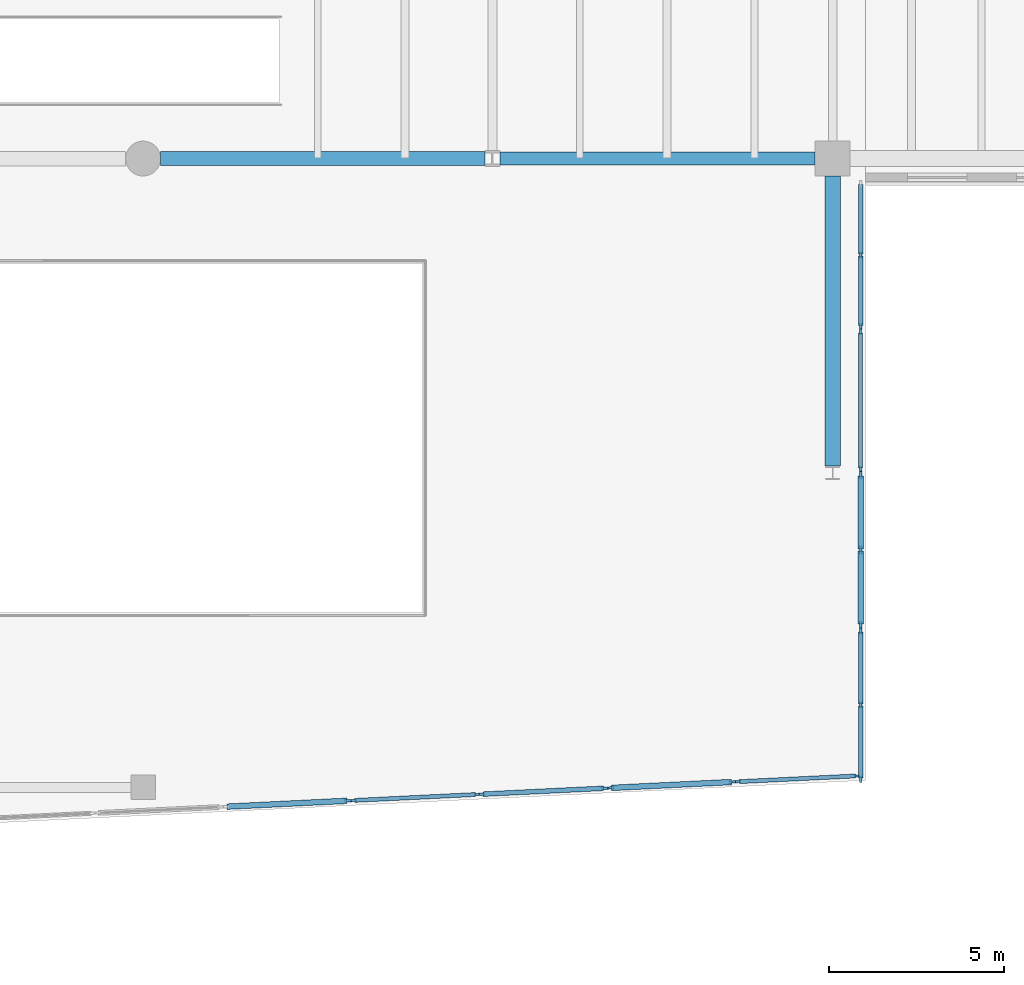
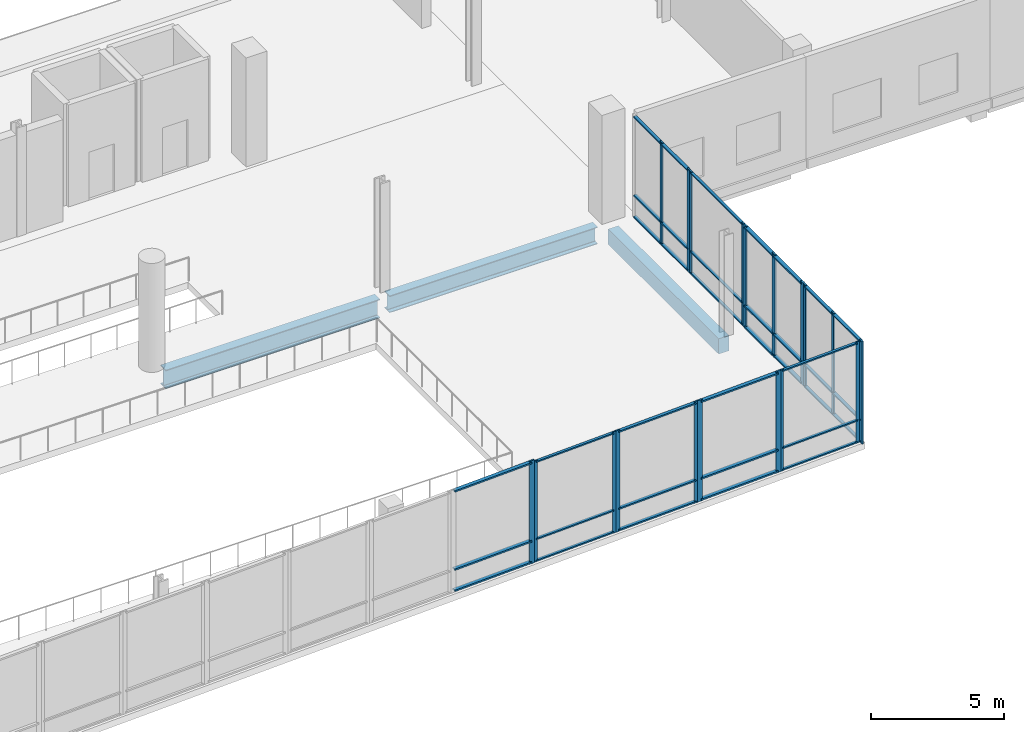
# One storey, part 24 of 73: 55 members, 3 beams, 9 elements without a shape of their own.
"""IFC4 building model written with IfcOpenShell, lengths in metres."""

from ifc_helpers import new_model, si_unit, direction, frame, origin, origin_2d, place, context, subcontext, project, spatial, rectangle, i_section, extrude, material, material_profile, profile_set, type_object, element, aggregate, save


model = new_model("IFC4")

# Units and contexts
model_context = context("Model", 3, precision=1e-05, world=origin(), true_north=direction((0.0, 1.0)))
body_context = subcontext(model_context, "Body", "Model", "MODEL_VIEW")
ifc_project = project(units=[si_unit("LENGTHUNIT", "METRE"), si_unit("AREAUNIT", "SQUARE_METRE"), si_unit("VOLUMEUNIT", "CUBIC_METRE"), si_unit("PLANEANGLEUNIT", "RADIAN"), si_unit("MASSUNIT", "GRAM", prefix="KILO")], contexts=[model_context])

# Site, building, storey
site_placement = place(None, origin())
site = spatial("IfcSite", under=ifc_project, at=site_placement, CompositionType="ELEMENT")
building_placement = place(site_placement, origin())
building = spatial("IfcBuilding", under=site, at=building_placement, Name="Trimount Lyric Opera House", CompositionType="ELEMENT")
storey_placement = place(building_placement, frame((0.0, 0.0, 10.0)))
storey = spatial("IfcBuildingStorey", under=building, at=storey_placement, Name="L02", CompositionType="ELEMENT", Elevation=10.0)

# Beams
ifc_material_1 = material(Name="Steel ASTM A992 Grade 50", Category="steel")
ifc_material_profile_1 = material_profile(ifc_material_1, i_section(OverallWidth=0.40087890625, OverallDepth=0.861083984375, WebThickness=0.019775390625, FlangeThickness=0.032470703125, FilletRadius=0.02001953125, at=origin_2d()), Name="W33X221")
ifc_profile_set_1 = profile_set([ifc_material_profile_1], Name="Steel ASTM A992 Grade 50")
beam_type_1 = type_object("IfcBeamType", Name="B-04", PredefinedType="BEAM", material=ifc_profile_set_1)
beam_1_placement = place(storey_placement, frame((94.5, 44.0, -0.73046875), z_axis=(1.0, 0.0, 0.0), x_axis=(0.0, 1.0, 0.0)))
element("IfcBeam", 1, at=beam_1_placement, inside=storey, type_object=beam_type_1, Name="L02 girder X-0727", PredefinedType="BEAM", context=body_context, shape_type="SweptSolid", body=[
    extrude(i_section(OverallWidth=0.40087890625, OverallDepth=0.861083984375, WebThickness=0.019775390625, FlangeThickness=0.032470703125, FilletRadius=0.02001953125, at=origin_2d()), origin(), (0.0, 0.0, 1.0), 9.2890625),
])
ifc_material_2 = material(Name="Steel ASTM A992 Grade 50", Category="steel")
ifc_material_profile_2 = material_profile(ifc_material_2, i_section(OverallWidth=0.382080078125, OverallDepth=0.779052734375, WebThickness=0.01806640625, FlangeThickness=0.0302734375, FilletRadius=0.01904296875, at=origin_2d()), Name="W30X191")
ifc_profile_set_2 = profile_set([ifc_material_profile_2], Name="Steel ASTM A992 Grade 50")
beam_type_2 = type_object("IfcBeamType", Name="B-06", PredefinedType="BEAM", material=ifc_profile_set_2)
beam_2_placement = place(storey_placement, frame((104.2109375, 44.0, -0.689453125), z_axis=(1.0, 0.0, 0.0), x_axis=(0.0, 1.0, 0.0)))
element("IfcBeam", 2, at=beam_2_placement, inside=storey, type_object=beam_type_2, Name="L02 girder X-0728", PredefinedType="BEAM", context=body_context, shape_type="SweptSolid", body=[
    extrude(i_section(OverallWidth=0.382080078125, OverallDepth=0.779052734375, WebThickness=0.01806640625, FlangeThickness=0.0302734375, FilletRadius=0.01904296875, at=origin_2d()), origin(), (0.0, 0.0, 1.0), 9.029052734375),
])

# Curtain wall, members
ifc_material_3 = material(Name="Thermally Broken Aluminium and Low-E Glass", Category="aluminium")
curtain_wall_type = type_object("IfcCurtainWallType", Name="CW-01", PredefinedType="NOTDEFINED", material=ifc_material_3)
curtain_wall_1_placement = place(storey_placement, origin())
curtain_wall_1 = element("IfcCurtainWall", 3, at=curtain_wall_1_placement, inside=storey, type_object=curtain_wall_type, Name="L02 curtain wall 171", PredefinedType="NOTDEFINED")
ifc_material_4 = material(Name="Anodised Aluminium 6063-T6", Category="aluminium")
ifc_material_profile_3 = material_profile(ifc_material_4, rectangle(XDim=0.070068359375, YDim=0.219970703125, at=origin_2d()), Name="ALU-MULL-70X220")
ifc_profile_set_3 = profile_set([ifc_material_profile_3], Name="Anodised Aluminium 6063-T6")
member_type_1 = type_object("IfcMemberType", Name="ML-01", PredefinedType="MULLION", material=ifc_profile_set_3)
member_1_placement = place(storey_placement, frame((114.5400390625, 34.955078125, 0.0), z_axis=(0.0, 0.0, 1.0), x_axis=(1.0, 0.0, 0.0)))
member_1 = element("IfcMember", 4, at=member_1_placement, type_object=member_type_1, Name="CW-01 mullion 1", PredefinedType="MULLION", context=body_context, shape_type="SweptSolid", body=[
    extrude(rectangle(XDim=0.070068359375, YDim=0.219970703125, at=origin_2d()), origin(), (0.0, 0.0, 1.0), 4.719970703125),
])
member_2_placement = place(storey_placement, frame((114.5400390625, 32.794921875, 0.0), z_axis=(0.0, 0.0, 1.0), x_axis=(1.0, 0.0, 0.0)))
member_2 = element("IfcMember", 5, at=member_2_placement, type_object=member_type_1, Name="CW-01 mullion 2", PredefinedType="MULLION", context=body_context, shape_type="SweptSolid", body=[
    extrude(rectangle(XDim=0.070068359375, YDim=0.219970703125, at=origin_2d()), origin(), (0.0, 0.0, 1.0), 4.719970703125),
])
member_3_placement = place(storey_placement, frame((114.5400390625, 30.635009765625, 0.0), z_axis=(0.0, 0.0, 1.0), x_axis=(1.0, 0.0, 0.0)))
member_3 = element("IfcMember", 6, at=member_3_placement, type_object=member_type_1, Name="CW-01 mullion 3", PredefinedType="MULLION", context=body_context, shape_type="SweptSolid", body=[
    extrude(rectangle(XDim=0.070068359375, YDim=0.219970703125, at=origin_2d()), origin(), (0.0, 0.0, 1.0), 4.719970703125),
])

curtain_wall_2_placement = place(storey_placement, origin())
curtain_wall_2 = element("IfcCurtainWall", 7, at=curtain_wall_2_placement, inside=storey, type_object=curtain_wall_type, Name="L02 curtain wall 174", PredefinedType="NOTDEFINED")
member_4_placement = place(storey_placement, frame((110.880126953125, 26.154296875, 0.0), z_axis=(0.0, 0.0, 1.0), x_axis=(0.04855957812, -0.998820287826, 0.0)))
member_4 = element("IfcMember", 8, at=member_4_placement, type_object=member_type_1, Name="CW-01 mullion 1", PredefinedType="MULLION", context=body_context, shape_type="SweptSolid", body=[
    extrude(rectangle(XDim=0.070068359375, YDim=0.219970703125, at=origin_2d()), origin(), (0.0, 0.0, 1.0), 4.64990234375),
])
member_5_placement = place(storey_placement, frame((107.370849609375, 25.983642578125, 0.0), z_axis=(0.0, 0.0, 1.0), x_axis=(0.04855957812, -0.998820287826, 0.0)))
member_5 = element("IfcMember", 9, at=member_5_placement, type_object=member_type_1, Name="CW-01 mullion 2", PredefinedType="MULLION", context=body_context, shape_type="SweptSolid", body=[
    extrude(rectangle(XDim=0.070068359375, YDim=0.219970703125, at=origin_2d()), origin(), (0.0, 0.0, 1.0), 4.64990234375),
])

# Curtain wall, member
curtain_wall_3_placement = place(storey_placement, origin())
curtain_wall_3 = element("IfcCurtainWall", 10, at=curtain_wall_3_placement, inside=storey, type_object=curtain_wall_type, Name="L02 curtain wall 177", PredefinedType="NOTDEFINED")
member_6_placement = place(storey_placement, frame((99.8740234375, 25.6171875, 0.0), z_axis=(0.0, 0.0, 1.0), x_axis=(0.04855957812, -0.998820287826, 0.0)))
member_6 = element("IfcMember", 11, at=member_6_placement, type_object=member_type_1, Name="CW-01 mullion 1", PredefinedType="MULLION", context=body_context, shape_type="SweptSolid", body=[
    extrude(rectangle(XDim=0.070068359375, YDim=0.219970703125, at=origin_2d()), origin(), (0.0, 0.0, 1.0), 4.719970703125),
])

# Curtain wall, members
curtain_wall_4_placement = place(storey_placement, origin())
curtain_wall_4 = element("IfcCurtainWall", 12, at=curtain_wall_4_placement, inside=storey, type_object=curtain_wall_type, Name="L02 curtain wall 169", PredefinedType="NOTDEFINED")
ifc_material_5 = material(Name="Anodised Aluminium 6063-T6", Category="aluminium")
ifc_material_profile_4 = material_profile(ifc_material_5, rectangle(XDim=0.06494140625, YDim=0.179931640625, at=origin_2d()), Name="ALU-MULL-65X180")
ifc_profile_set_4 = profile_set([ifc_material_profile_4], Name="Anodised Aluminium 6063-T6")
member_type_2 = type_object("IfcMemberType", Name="ML-02", PredefinedType="MULLION", material=ifc_profile_set_4)
member_7_placement = place(storey_placement, frame((114.5400390625, 41.239990234375, 0.0), z_axis=(0.0, 0.0, 1.0), x_axis=(1.0, 0.0, 0.0)))
member_7 = element("IfcMember", 13, at=member_7_placement, type_object=member_type_2, Name="CW-01 mullion 2", PredefinedType="MULLION", context=body_context, shape_type="SweptSolid", body=[
    extrude(rectangle(XDim=0.06494140625, YDim=0.179931640625, at=origin_2d()), origin(), (0.0, 0.0, 1.0), 4.719970703125),
])
member_8_placement = place(storey_placement, frame((114.5400390625, 39.1923828125, 0.0), z_axis=(0.0, 0.0, 1.0), x_axis=(1.0, 0.0, 0.0)))
member_8 = element("IfcMember", 14, at=member_8_placement, type_object=member_type_2, Name="CW-01 mullion 3", PredefinedType="MULLION", context=body_context, shape_type="SweptSolid", body=[
    extrude(rectangle(XDim=0.06494140625, YDim=0.179931640625, at=origin_2d()), origin(), (0.0, 0.0, 1.0), 4.719970703125),
])

curtain_wall_5_placement = place(storey_placement, origin())
curtain_wall_5 = element("IfcCurtainWall", 15, at=curtain_wall_5_placement, inside=storey, type_object=curtain_wall_type, Name="L02 curtain wall 172", PredefinedType="NOTDEFINED")
member_9_placement = place(storey_placement, frame((114.5400390625, 30.4775390625, 0.0), z_axis=(0.0, 0.0, 1.0), x_axis=(1.0, 0.0, 0.0)))
member_9 = element("IfcMember", 16, at=member_9_placement, type_object=member_type_2, Name="CW-01 mullion 1", PredefinedType="MULLION", context=body_context, shape_type="SweptSolid", body=[
    extrude(rectangle(XDim=0.06494140625, YDim=0.179931640625, at=origin_2d()), origin(), (0.0, 0.0, 1.0), 4.719970703125),
])
member_10_placement = place(storey_placement, frame((114.5400390625, 28.35498046875, 0.0), z_axis=(0.0, 0.0, 1.0), x_axis=(1.0, 0.0, 0.0)))
member_10 = element("IfcMember", 17, at=member_10_placement, type_object=member_type_2, Name="CW-01 mullion 2", PredefinedType="MULLION", context=body_context, shape_type="SweptSolid", body=[
    extrude(rectangle(XDim=0.06494140625, YDim=0.179931640625, at=origin_2d()), origin(), (0.0, 0.0, 1.0), 4.719970703125),
])
member_11_placement = place(storey_placement, frame((114.5400390625, 26.232421875, 0.0), z_axis=(0.0, 0.0, 1.0), x_axis=(1.0, 0.0, 0.0)))
member_11 = element("IfcMember", 18, at=member_11_placement, type_object=member_type_2, Name="CW-01 mullion 3", PredefinedType="MULLION", context=body_context, shape_type="SweptSolid", body=[
    extrude(rectangle(XDim=0.06494140625, YDim=0.179931640625, at=origin_2d()), origin(), (0.0, 0.0, 1.0), 4.719970703125),
])

curtain_wall_6_placement = place(storey_placement, origin())
curtain_wall_6 = element("IfcCurtainWall", 19, at=curtain_wall_6_placement, inside=storey, type_object=curtain_wall_type, Name="L02 curtain wall 175", PredefinedType="NOTDEFINED")
member_12_placement = place(storey_placement, frame((107.213623046875, 25.975341796875, 0.0), z_axis=(0.0, 0.0, 1.0), x_axis=(0.04855957812, -0.998820287826, 0.0)))
member_12 = element("IfcMember", 20, at=member_12_placement, type_object=member_type_2, Name="CW-01 mullion 1", PredefinedType="MULLION", context=body_context, shape_type="SweptSolid", body=[
    extrude(rectangle(XDim=0.06494140625, YDim=0.179931640625, at=origin_2d()), origin(), (0.0, 0.0, 1.0), 4.64990234375),
])
member_13_placement = place(storey_placement, frame((103.699462890625, 25.8046875, 0.0), z_axis=(0.0, 0.0, 1.0), x_axis=(0.04855957812, -0.998820287826, 0.0)))
member_13 = element("IfcMember", 21, at=member_13_placement, type_object=member_type_2, Name="CW-01 mullion 2", PredefinedType="MULLION", context=body_context, shape_type="SweptSolid", body=[
    extrude(rectangle(XDim=0.06494140625, YDim=0.179931640625, at=origin_2d()), origin(), (0.0, 0.0, 1.0), 4.64990234375),
])

curtain_wall_7_placement = place(storey_placement, origin())
curtain_wall_7 = element("IfcCurtainWall", 22, at=curtain_wall_7_placement, inside=storey, type_object=curtain_wall_type, Name="L02 curtain wall 170", PredefinedType="NOTDEFINED")
ifc_material_6 = material(Name="Anodised Aluminium 6063-T6", Category="aluminium")
ifc_material_profile_5 = material_profile(ifc_material_6, rectangle(XDim=0.06005859375, YDim=0.14990234375, at=origin_2d()), Name="ALU-MULL-60X150")
ifc_profile_set_5 = profile_set([ifc_material_profile_5], Name="Anodised Aluminium 6063-T6")
member_type_3 = type_object("IfcMemberType", Name="ML-03", PredefinedType="MULLION", material=ifc_profile_set_5)
member_14_placement = place(storey_placement, frame((114.5400390625, 39.0400390625, 0.0), z_axis=(0.0, 0.0, 1.0), x_axis=(1.0, 0.0, 0.0)))
member_14 = element("IfcMember", 23, at=member_14_placement, type_object=member_type_3, Name="CW-01 mullion 1", PredefinedType="MULLION", context=body_context, shape_type="SweptSolid", body=[
    extrude(rectangle(XDim=0.06005859375, YDim=0.14990234375, at=origin_2d()), origin(), (0.0, 0.0, 1.0), 4.719970703125),
])
member_15_placement = place(storey_placement, frame((114.5400390625, 35.110107421875, 0.0), z_axis=(0.0, 0.0, 1.0), x_axis=(1.0, 0.0, 0.0)))
member_15 = element("IfcMember", 24, at=member_15_placement, type_object=member_type_3, Name="CW-01 mullion 2", PredefinedType="MULLION", context=body_context, shape_type="SweptSolid", body=[
    extrude(rectangle(XDim=0.06005859375, YDim=0.14990234375, at=origin_2d()), origin(), (0.0, 0.0, 1.0), 4.719970703125),
])

curtain_wall_8_placement = place(storey_placement, origin())
curtain_wall_8 = element("IfcCurtainWall", 25, at=curtain_wall_8_placement, inside=storey, type_object=curtain_wall_type, Name="L02 curtain wall 173", PredefinedType="NOTDEFINED")
member_16_placement = place(storey_placement, frame((114.419921875, 26.32763671875, 0.0), z_axis=(0.0, 0.0, 1.0), x_axis=(0.048708444302, -0.998813039289, 0.0)))
member_16 = element("IfcMember", 26, at=member_16_placement, type_object=member_type_3, Name="CW-01 mullion 1", PredefinedType="MULLION", context=body_context, shape_type="SweptSolid", body=[
    extrude(rectangle(XDim=0.06005859375, YDim=0.14990234375, at=origin_2d()), origin(), (0.0, 0.0, 1.0), 4.64990234375),
])
member_17_placement = place(storey_placement, frame((111.034912109375, 26.162353515625, 0.0), z_axis=(0.0, 0.0, 1.0), x_axis=(0.048708444302, -0.998813039289, 0.0)))
member_17 = element("IfcMember", 27, at=member_17_placement, type_object=member_type_3, Name="CW-01 mullion 2", PredefinedType="MULLION", context=body_context, shape_type="SweptSolid", body=[
    extrude(rectangle(XDim=0.06005859375, YDim=0.14990234375, at=origin_2d()), origin(), (0.0, 0.0, 1.0), 4.64990234375),
])

curtain_wall_9_placement = place(storey_placement, origin())
curtain_wall_9 = element("IfcCurtainWall", 28, at=curtain_wall_9_placement, inside=storey, type_object=curtain_wall_type, Name="L02 curtain wall 176", PredefinedType="NOTDEFINED")
member_18_placement = place(storey_placement, frame((103.547119140625, 25.796630859375, 0.0), z_axis=(0.0, 0.0, 1.0), x_axis=(0.048573117817, -0.998819629475, 0.0)))
member_18 = element("IfcMember", 29, at=member_18_placement, type_object=member_type_3, Name="CW-01 mullion 1", PredefinedType="MULLION", context=body_context, shape_type="SweptSolid", body=[
    extrude(rectangle(XDim=0.06005859375, YDim=0.14990234375, at=origin_2d()), origin(), (0.0, 0.0, 1.0), 4.64990234375),
])
member_19_placement = place(storey_placement, frame((100.029052734375, 25.62548828125, 0.0), z_axis=(0.0, 0.0, 1.0), x_axis=(0.048573117817, -0.998819629475, 0.0)))
member_19 = element("IfcMember", 30, at=member_19_placement, type_object=member_type_3, Name="CW-01 mullion 2", PredefinedType="MULLION", context=body_context, shape_type="SweptSolid", body=[
    extrude(rectangle(XDim=0.06005859375, YDim=0.14990234375, at=origin_2d()), origin(), (0.0, 0.0, 1.0), 4.64990234375),
])

# Beam
ifc_material_7 = material(Name="Concrete C40/50", Category="concrete")
ifc_material_profile_6 = material_profile(ifc_material_7, rectangle(XDim=0.449951171875, YDim=0.699951171875, at=origin_2d()), Name="RC450X700")
ifc_profile_set_6 = profile_set([ifc_material_profile_6], Name="Concrete C40/50")
beam_type_3 = type_object("IfcBeamType", Name="SP-02", PredefinedType="SPANDREL", material=ifc_profile_set_6)
beam_3_placement = place(storey_placement, frame((113.739990234375, 35.193115234375, -0.64990234375), z_axis=(0.0, 1.0, 0.0), x_axis=(-1.0, 0.0, 0.0)))
element("IfcBeam", 31, at=beam_3_placement, inside=storey, type_object=beam_type_3, Name="L02 girder Y-0887", PredefinedType="SPANDREL", context=body_context, shape_type="SweptSolid", body=[
    extrude(rectangle(XDim=0.449951171875, YDim=0.699951171875, at=origin_2d()), origin(), (0.0, 0.0, 1.0), 8.306884765625),
])

# Member
ifc_material_8 = material(Name="Anodised Aluminium 6063-T6", Category="aluminium")
ifc_material_profile_7 = material_profile(ifc_material_8, rectangle(XDim=0.159912109375, YDim=0.070068359375, at=origin_2d()), Name="ALU-TRAN-70X160")
ifc_profile_set_7 = profile_set([ifc_material_profile_7], Name="Anodised Aluminium 6063-T6")
member_type_4 = type_object("IfcMemberType", Name="TR-01", PredefinedType="USERDEFINED", material=ifc_profile_set_7)
member_20_placement = place(storey_placement, frame((114.5400390625, 34.919921875, 0.080078125), z_axis=(0.0, -1.0, 0.0), x_axis=(1.0, 0.0, 0.0)))
member_20 = element("IfcMember", 32, at=member_20_placement, type_object=member_type_4, Name="CW-01 transom 1.1", ObjectType="TRANSOM", PredefinedType="USERDEFINED", context=body_context, shape_type="SweptSolid", body=[
    extrude(rectangle(XDim=0.159912109375, YDim=0.070068359375, at=origin_2d()), origin(), (0.0, 0.0, 1.0), 2.08984375),
])

member_21_placement = place(storey_placement, frame((114.5400390625, 34.919921875, 1.050048828125), z_axis=(0.0, -1.0, 0.0), x_axis=(1.0, 0.0, 0.0)))
member_21 = element("IfcMember", 33, at=member_21_placement, type_object=member_type_4, Name="CW-01 transom 1.2", ObjectType="TRANSOM", PredefinedType="USERDEFINED", context=body_context, shape_type="SweptSolid", body=[
    extrude(rectangle(XDim=0.159912109375, YDim=0.070068359375, at=origin_2d()), origin(), (0.0, 0.0, 1.0), 2.08984375),
])

member_22_placement = place(storey_placement, frame((114.5400390625, 34.919921875, 4.639892578125), z_axis=(0.0, -1.0, 0.0), x_axis=(1.0, 0.0, 0.0)))
member_22 = element("IfcMember", 34, at=member_22_placement, type_object=member_type_4, Name="CW-01 transom 1.3", ObjectType="TRANSOM", PredefinedType="USERDEFINED", context=body_context, shape_type="SweptSolid", body=[
    extrude(rectangle(XDim=0.159912109375, YDim=0.070068359375, at=origin_2d()), origin(), (0.0, 0.0, 1.0), 2.08984375),
])

member_23_placement = place(storey_placement, frame((114.5400390625, 32.760009765625, 0.080078125), z_axis=(0.0, -1.0, 0.0), x_axis=(1.0, 0.0, 0.0)))
member_23 = element("IfcMember", 35, at=member_23_placement, type_object=member_type_4, Name="CW-01 transom 2.1", ObjectType="TRANSOM", PredefinedType="USERDEFINED", context=body_context, shape_type="SweptSolid", body=[
    extrude(rectangle(XDim=0.159912109375, YDim=0.070068359375, at=origin_2d()), origin(), (0.0, 0.0, 1.0), 2.090087890625),
])

member_24_placement = place(storey_placement, frame((114.5400390625, 32.760009765625, 1.050048828125), z_axis=(0.0, -1.0, 0.0), x_axis=(1.0, 0.0, 0.0)))
member_24 = element("IfcMember", 36, at=member_24_placement, type_object=member_type_4, Name="CW-01 transom 2.2", ObjectType="TRANSOM", PredefinedType="USERDEFINED", context=body_context, shape_type="SweptSolid", body=[
    extrude(rectangle(XDim=0.159912109375, YDim=0.070068359375, at=origin_2d()), origin(), (0.0, 0.0, 1.0), 2.090087890625),
])

member_25_placement = place(storey_placement, frame((114.5400390625, 32.760009765625, 4.639892578125), z_axis=(0.0, -1.0, 0.0), x_axis=(1.0, 0.0, 0.0)))
member_25 = element("IfcMember", 37, at=member_25_placement, type_object=member_type_4, Name="CW-01 transom 2.3", ObjectType="TRANSOM", PredefinedType="USERDEFINED", context=body_context, shape_type="SweptSolid", body=[
    extrude(rectangle(XDim=0.159912109375, YDim=0.070068359375, at=origin_2d()), origin(), (0.0, 0.0, 1.0), 2.090087890625),
])

aggregate(curtain_wall_1, [member_1, member_2, member_3, member_20, member_21, member_22, member_23, member_24, member_25])

member_26_placement = place(storey_placement, frame((110.844970703125, 26.152587890625, 0.080078125), z_axis=(-0.998819662166, -0.04857244559, 0.0), x_axis=(0.04857244559, -0.998819662166, 0.0)))
member_26 = element("IfcMember", 38, at=member_26_placement, type_object=member_type_4, Name="CW-01 transom 1.1", ObjectType="TRANSOM", PredefinedType="USERDEFINED", context=body_context, shape_type="SweptSolid", body=[
    extrude(rectangle(XDim=0.159912109375, YDim=0.070068359375, at=origin_2d()), origin(), (0.0, 0.0, 1.0), 3.443115234375),
])

member_27_placement = place(storey_placement, frame((110.844970703125, 26.152587890625, 1.050048828125), z_axis=(-0.998819662166, -0.04857244559, 0.0), x_axis=(0.04857244559, -0.998819662166, 0.0)))
member_27 = element("IfcMember", 39, at=member_27_placement, type_object=member_type_4, Name="CW-01 transom 1.2", ObjectType="TRANSOM", PredefinedType="USERDEFINED", context=body_context, shape_type="SweptSolid", body=[
    extrude(rectangle(XDim=0.159912109375, YDim=0.070068359375, at=origin_2d()), origin(), (0.0, 0.0, 1.0), 3.443115234375),
])

member_28_placement = place(storey_placement, frame((110.844970703125, 26.152587890625, 4.570068359375), z_axis=(-0.998819662166, -0.04857244559, 0.0), x_axis=(0.04857244559, -0.998819662166, 0.0)))
member_28 = element("IfcMember", 40, at=member_28_placement, type_object=member_type_4, Name="CW-01 transom 1.3", ObjectType="TRANSOM", PredefinedType="USERDEFINED", context=body_context, shape_type="SweptSolid", body=[
    extrude(rectangle(XDim=0.159912109375, YDim=0.070068359375, at=origin_2d()), origin(), (0.0, 0.0, 1.0), 3.443115234375),
])

aggregate(curtain_wall_2, [member_4, member_5, member_26, member_27, member_28])

member_29_placement = place(storey_placement, frame((99.839111328125, 25.61572265625, 0.080078125), z_axis=(-0.998819829442, -0.048569005691, 0.0), x_axis=(0.048569005691, -0.998819829442, 0.0)))
member_29 = element("IfcMember", 41, at=member_29_placement, type_object=member_type_4, Name="CW-01 transom 1.1", ObjectType="TRANSOM", PredefinedType="USERDEFINED", context=body_context, shape_type="SweptSolid", body=[
    extrude(rectangle(XDim=0.159912109375, YDim=0.070068359375, at=origin_2d()), origin(), (0.0, 0.0, 1.0), 3.443359375),
])

member_30_placement = place(storey_placement, frame((99.839111328125, 25.61572265625, 1.050048828125), z_axis=(-0.998819829442, -0.048569005691, 0.0), x_axis=(0.048569005691, -0.998819829442, 0.0)))
member_30 = element("IfcMember", 42, at=member_30_placement, type_object=member_type_4, Name="CW-01 transom 1.2", ObjectType="TRANSOM", PredefinedType="USERDEFINED", context=body_context, shape_type="SweptSolid", body=[
    extrude(rectangle(XDim=0.159912109375, YDim=0.070068359375, at=origin_2d()), origin(), (0.0, 0.0, 1.0), 3.443359375),
])

member_31_placement = place(storey_placement, frame((99.839111328125, 25.61572265625, 4.639892578125), z_axis=(-0.998819829442, -0.048569005691, 0.0), x_axis=(0.048569005691, -0.998819829442, 0.0)))
member_31 = element("IfcMember", 43, at=member_31_placement, type_object=member_type_4, Name="CW-01 transom 1.3", ObjectType="TRANSOM", PredefinedType="USERDEFINED", context=body_context, shape_type="SweptSolid", body=[
    extrude(rectangle(XDim=0.159912109375, YDim=0.070068359375, at=origin_2d()), origin(), (0.0, 0.0, 1.0), 3.443359375),
])

aggregate(curtain_wall_3, [member_6, member_29, member_30, member_31])

ifc_material_9 = material(Name="Anodised Aluminium 6063-T6", Category="aluminium")
ifc_material_profile_8 = material_profile(ifc_material_9, rectangle(XDim=0.135009765625, YDim=0.06494140625, at=origin_2d()), Name="ALU-TRAN-65X135")
ifc_profile_set_8 = profile_set([ifc_material_profile_8], Name="Anodised Aluminium 6063-T6")
member_type_5 = type_object("IfcMemberType", Name="TR-02", PredefinedType="USERDEFINED", material=ifc_profile_set_8)
member_32_placement = place(storey_placement, frame((114.5400390625, 43.2548828125, 0.0673828125), z_axis=(0.0, -1.0, 0.0), x_axis=(1.0, 0.0, 0.0)))
member_32 = element("IfcMember", 44, at=member_32_placement, type_object=member_type_5, Name="CW-01 transom 1.1", ObjectType="TRANSOM", PredefinedType="USERDEFINED", context=body_context, shape_type="SweptSolid", body=[
    extrude(rectangle(XDim=0.135009765625, YDim=0.06494140625, at=origin_2d()), origin(), (0.0, 0.0, 1.0), 1.982421875),
])

member_33_placement = place(storey_placement, frame((114.5400390625, 43.2548828125, 1.050048828125), z_axis=(0.0, -1.0, 0.0), x_axis=(1.0, 0.0, 0.0)))
member_33 = element("IfcMember", 45, at=member_33_placement, type_object=member_type_5, Name="CW-01 transom 1.2", ObjectType="TRANSOM", PredefinedType="USERDEFINED", context=body_context, shape_type="SweptSolid", body=[
    extrude(rectangle(XDim=0.135009765625, YDim=0.06494140625, at=origin_2d()), origin(), (0.0, 0.0, 1.0), 1.982421875),
])

member_34_placement = place(storey_placement, frame((114.5400390625, 43.2548828125, 4.652587890625), z_axis=(0.0, -1.0, 0.0), x_axis=(1.0, 0.0, 0.0)))
member_34 = element("IfcMember", 46, at=member_34_placement, type_object=member_type_5, Name="CW-01 transom 1.3", ObjectType="TRANSOM", PredefinedType="USERDEFINED", context=body_context, shape_type="SweptSolid", body=[
    extrude(rectangle(XDim=0.135009765625, YDim=0.06494140625, at=origin_2d()), origin(), (0.0, 0.0, 1.0), 1.982421875),
])

member_35_placement = place(storey_placement, frame((114.5400390625, 41.20751953125, 0.0673828125), z_axis=(0.0, -1.0, 0.0), x_axis=(1.0, 0.0, 0.0)))
member_35 = element("IfcMember", 47, at=member_35_placement, type_object=member_type_5, Name="CW-01 transom 2.1", ObjectType="TRANSOM", PredefinedType="USERDEFINED", context=body_context, shape_type="SweptSolid", body=[
    extrude(rectangle(XDim=0.135009765625, YDim=0.06494140625, at=origin_2d()), origin(), (0.0, 0.0, 1.0), 1.982421875),
])

member_36_placement = place(storey_placement, frame((114.5400390625, 41.20751953125, 1.050048828125), z_axis=(0.0, -1.0, 0.0), x_axis=(1.0, 0.0, 0.0)))
member_36 = element("IfcMember", 48, at=member_36_placement, type_object=member_type_5, Name="CW-01 transom 2.2", ObjectType="TRANSOM", PredefinedType="USERDEFINED", context=body_context, shape_type="SweptSolid", body=[
    extrude(rectangle(XDim=0.135009765625, YDim=0.06494140625, at=origin_2d()), origin(), (0.0, 0.0, 1.0), 1.982421875),
])

member_37_placement = place(storey_placement, frame((114.5400390625, 41.20751953125, 4.652587890625), z_axis=(0.0, -1.0, 0.0), x_axis=(1.0, 0.0, 0.0)))
member_37 = element("IfcMember", 49, at=member_37_placement, type_object=member_type_5, Name="CW-01 transom 2.3", ObjectType="TRANSOM", PredefinedType="USERDEFINED", context=body_context, shape_type="SweptSolid", body=[
    extrude(rectangle(XDim=0.135009765625, YDim=0.06494140625, at=origin_2d()), origin(), (0.0, 0.0, 1.0), 1.982421875),
])

aggregate(curtain_wall_4, [member_7, member_8, member_32, member_33, member_34, member_35, member_36, member_37])

member_38_placement = place(storey_placement, frame((114.5400390625, 30.445068359375, 0.0673828125), z_axis=(0.0, -1.0, 0.0), x_axis=(1.0, 0.0, 0.0)))
member_38 = element("IfcMember", 50, at=member_38_placement, type_object=member_type_5, Name="CW-01 transom 1.1", ObjectType="TRANSOM", PredefinedType="USERDEFINED", context=body_context, shape_type="SweptSolid", body=[
    extrude(rectangle(XDim=0.135009765625, YDim=0.06494140625, at=origin_2d()), origin(), (0.0, 0.0, 1.0), 2.0576171875),
])

member_39_placement = place(storey_placement, frame((114.5400390625, 30.445068359375, 1.050048828125), z_axis=(0.0, -1.0, 0.0), x_axis=(1.0, 0.0, 0.0)))
member_39 = element("IfcMember", 51, at=member_39_placement, type_object=member_type_5, Name="CW-01 transom 1.2", ObjectType="TRANSOM", PredefinedType="USERDEFINED", context=body_context, shape_type="SweptSolid", body=[
    extrude(rectangle(XDim=0.135009765625, YDim=0.06494140625, at=origin_2d()), origin(), (0.0, 0.0, 1.0), 2.0576171875),
])

member_40_placement = place(storey_placement, frame((114.5400390625, 30.445068359375, 4.652587890625), z_axis=(0.0, -1.0, 0.0), x_axis=(1.0, 0.0, 0.0)))
member_40 = element("IfcMember", 52, at=member_40_placement, type_object=member_type_5, Name="CW-01 transom 1.3", ObjectType="TRANSOM", PredefinedType="USERDEFINED", context=body_context, shape_type="SweptSolid", body=[
    extrude(rectangle(XDim=0.135009765625, YDim=0.06494140625, at=origin_2d()), origin(), (0.0, 0.0, 1.0), 2.0576171875),
])

member_41_placement = place(storey_placement, frame((114.5400390625, 28.322509765625, 0.0673828125), z_axis=(0.0, -1.0, 0.0), x_axis=(1.0, 0.0, 0.0)))
member_41 = element("IfcMember", 53, at=member_41_placement, type_object=member_type_5, Name="CW-01 transom 2.1", ObjectType="TRANSOM", PredefinedType="USERDEFINED", context=body_context, shape_type="SweptSolid", body=[
    extrude(rectangle(XDim=0.135009765625, YDim=0.06494140625, at=origin_2d()), origin(), (0.0, 0.0, 1.0), 2.0576171875),
])

member_42_placement = place(storey_placement, frame((114.5400390625, 28.322509765625, 1.050048828125), z_axis=(0.0, -1.0, 0.0), x_axis=(1.0, 0.0, 0.0)))
member_42 = element("IfcMember", 54, at=member_42_placement, type_object=member_type_5, Name="CW-01 transom 2.2", ObjectType="TRANSOM", PredefinedType="USERDEFINED", context=body_context, shape_type="SweptSolid", body=[
    extrude(rectangle(XDim=0.135009765625, YDim=0.06494140625, at=origin_2d()), origin(), (0.0, 0.0, 1.0), 2.0576171875),
])

member_43_placement = place(storey_placement, frame((114.5400390625, 28.322509765625, 4.652587890625), z_axis=(0.0, -1.0, 0.0), x_axis=(1.0, 0.0, 0.0)))
member_43 = element("IfcMember", 55, at=member_43_placement, type_object=member_type_5, Name="CW-01 transom 2.3", ObjectType="TRANSOM", PredefinedType="USERDEFINED", context=body_context, shape_type="SweptSolid", body=[
    extrude(rectangle(XDim=0.135009765625, YDim=0.06494140625, at=origin_2d()), origin(), (0.0, 0.0, 1.0), 2.0576171875),
])

aggregate(curtain_wall_5, [member_9, member_10, member_11, member_38, member_39, member_40, member_41, member_42, member_43])

member_44_placement = place(storey_placement, frame((107.18115234375, 25.973876953125, 0.0673828125), z_axis=(-0.998819807773, -0.048569451298, 0.0), x_axis=(0.048569451298, -0.998819807773, 0.0)))
member_44 = element("IfcMember", 56, at=member_44_placement, type_object=member_type_5, Name="CW-01 transom 1.1", ObjectType="TRANSOM", PredefinedType="USERDEFINED", context=body_context, shape_type="SweptSolid", body=[
    extrude(rectangle(XDim=0.135009765625, YDim=0.06494140625, at=origin_2d()), origin(), (0.0, 0.0, 1.0), 3.453369140625),
])

member_45_placement = place(storey_placement, frame((107.18115234375, 25.973876953125, 1.050048828125), z_axis=(-0.998819807773, -0.048569451298, 0.0), x_axis=(0.048569451298, -0.998819807773, 0.0)))
member_45 = element("IfcMember", 57, at=member_45_placement, type_object=member_type_5, Name="CW-01 transom 1.2", ObjectType="TRANSOM", PredefinedType="USERDEFINED", context=body_context, shape_type="SweptSolid", body=[
    extrude(rectangle(XDim=0.135009765625, YDim=0.06494140625, at=origin_2d()), origin(), (0.0, 0.0, 1.0), 3.453369140625),
])

member_46_placement = place(storey_placement, frame((107.18115234375, 25.973876953125, 4.58251953125), z_axis=(-0.998819807773, -0.048569451298, 0.0), x_axis=(0.048569451298, -0.998819807773, 0.0)))
member_46 = element("IfcMember", 58, at=member_46_placement, type_object=member_type_5, Name="CW-01 transom 1.3", ObjectType="TRANSOM", PredefinedType="USERDEFINED", context=body_context, shape_type="SweptSolid", body=[
    extrude(rectangle(XDim=0.135009765625, YDim=0.06494140625, at=origin_2d()), origin(), (0.0, 0.0, 1.0), 3.453369140625),
])

aggregate(curtain_wall_6, [member_12, member_13, member_44, member_45, member_46])

ifc_material_10 = material(Name="Anodised Aluminium 6063-T6", Category="aluminium")
ifc_material_profile_9 = material_profile(ifc_material_10, rectangle(XDim=0.114990234375, YDim=0.06005859375, at=origin_2d()), Name="ALU-TRAN-60X115")
ifc_profile_set_9 = profile_set([ifc_material_profile_9], Name="Anodised Aluminium 6063-T6")
member_type_6 = type_object("IfcMemberType", Name="TR-03", PredefinedType="USERDEFINED", material=ifc_profile_set_9)
member_47_placement = place(storey_placement, frame((114.5400390625, 39.010009765625, 0.0576171875), z_axis=(0.0, -1.0, 0.0), x_axis=(1.0, 0.0, 0.0)))
member_47 = element("IfcMember", 59, at=member_47_placement, type_object=member_type_6, Name="CW-01 transom 1.1", ObjectType="TRANSOM", PredefinedType="USERDEFINED", context=body_context, shape_type="SweptSolid", body=[
    extrude(rectangle(XDim=0.114990234375, YDim=0.06005859375, at=origin_2d()), origin(), (0.0, 0.0, 1.0), 3.8701171875),
])

member_48_placement = place(storey_placement, frame((114.5400390625, 39.010009765625, 1.050048828125), z_axis=(0.0, -1.0, 0.0), x_axis=(1.0, 0.0, 0.0)))
member_48 = element("IfcMember", 60, at=member_48_placement, type_object=member_type_6, Name="CW-01 transom 1.2", ObjectType="TRANSOM", PredefinedType="USERDEFINED", context=body_context, shape_type="SweptSolid", body=[
    extrude(rectangle(XDim=0.114990234375, YDim=0.06005859375, at=origin_2d()), origin(), (0.0, 0.0, 1.0), 3.8701171875),
])

member_49_placement = place(storey_placement, frame((114.5400390625, 39.010009765625, 4.66259765625), z_axis=(0.0, -1.0, 0.0), x_axis=(1.0, 0.0, 0.0)))
member_49 = element("IfcMember", 61, at=member_49_placement, type_object=member_type_6, Name="CW-01 transom 1.3", ObjectType="TRANSOM", PredefinedType="USERDEFINED", context=body_context, shape_type="SweptSolid", body=[
    extrude(rectangle(XDim=0.114990234375, YDim=0.06005859375, at=origin_2d()), origin(), (0.0, 0.0, 1.0), 3.8701171875),
])

aggregate(curtain_wall_7, [member_14, member_15, member_47, member_48, member_49])

member_50_placement = place(storey_placement, frame((114.39013671875, 26.326171875, 0.0576171875), z_axis=(-0.998810174043, -0.048767163417, 0.0), x_axis=(0.048767163417, -0.998810174043, 0.0)))
member_50 = element("IfcMember", 62, at=member_50_placement, type_object=member_type_6, Name="CW-01 transom 1.1", ObjectType="TRANSOM", PredefinedType="USERDEFINED", context=body_context, shape_type="SweptSolid", body=[
    extrude(rectangle(XDim=0.114990234375, YDim=0.06005859375, at=origin_2d()), origin(), (0.0, 0.0, 1.0), 3.3291015625),
])

member_51_placement = place(storey_placement, frame((114.39013671875, 26.326171875, 1.050048828125), z_axis=(-0.998810174043, -0.048767163417, 0.0), x_axis=(0.048767163417, -0.998810174043, 0.0)))
member_51 = element("IfcMember", 63, at=member_51_placement, type_object=member_type_6, Name="CW-01 transom 1.2", ObjectType="TRANSOM", PredefinedType="USERDEFINED", context=body_context, shape_type="SweptSolid", body=[
    extrude(rectangle(XDim=0.114990234375, YDim=0.06005859375, at=origin_2d()), origin(), (0.0, 0.0, 1.0), 3.3291015625),
])

member_52_placement = place(storey_placement, frame((114.39013671875, 26.326171875, 4.592529296875), z_axis=(-0.998810174043, -0.048767163417, 0.0), x_axis=(0.048767163417, -0.998810174043, 0.0)))
member_52 = element("IfcMember", 64, at=member_52_placement, type_object=member_type_6, Name="CW-01 transom 1.3", ObjectType="TRANSOM", PredefinedType="USERDEFINED", context=body_context, shape_type="SweptSolid", body=[
    extrude(rectangle(XDim=0.114990234375, YDim=0.06005859375, at=origin_2d()), origin(), (0.0, 0.0, 1.0), 3.3291015625),
])

aggregate(curtain_wall_8, [member_16, member_17, member_50, member_51, member_52])

member_53_placement = place(storey_placement, frame((103.51708984375, 25.795166015625, 0.0576171875), z_axis=(-0.998819120764, -0.048583577424, 0.0), x_axis=(0.048583577424, -0.998819120764, 0.0)))
member_53 = element("IfcMember", 65, at=member_53_placement, type_object=member_type_6, Name="CW-01 transom 1.1", ObjectType="TRANSOM", PredefinedType="USERDEFINED", context=body_context, shape_type="SweptSolid", body=[
    extrude(rectangle(XDim=0.114990234375, YDim=0.06005859375, at=origin_2d()), origin(), (0.0, 0.0, 1.0), 3.46240234375),
])

member_54_placement = place(storey_placement, frame((103.51708984375, 25.795166015625, 1.050048828125), z_axis=(-0.998819120764, -0.048583577424, 0.0), x_axis=(0.048583577424, -0.998819120764, 0.0)))
member_54 = element("IfcMember", 66, at=member_54_placement, type_object=member_type_6, Name="CW-01 transom 1.2", ObjectType="TRANSOM", PredefinedType="USERDEFINED", context=body_context, shape_type="SweptSolid", body=[
    extrude(rectangle(XDim=0.114990234375, YDim=0.06005859375, at=origin_2d()), origin(), (0.0, 0.0, 1.0), 3.46240234375),
])

member_55_placement = place(storey_placement, frame((103.51708984375, 25.795166015625, 4.592529296875), z_axis=(-0.998819120764, -0.048583577424, 0.0), x_axis=(0.048583577424, -0.998819120764, 0.0)))
member_55 = element("IfcMember", 67, at=member_55_placement, type_object=member_type_6, Name="CW-01 transom 1.3", ObjectType="TRANSOM", PredefinedType="USERDEFINED", context=body_context, shape_type="SweptSolid", body=[
    extrude(rectangle(XDim=0.114990234375, YDim=0.06005859375, at=origin_2d()), origin(), (0.0, 0.0, 1.0), 3.46240234375),
])

aggregate(curtain_wall_9, [member_18, member_19, member_53, member_54, member_55])

save(model, "model.ifc")
